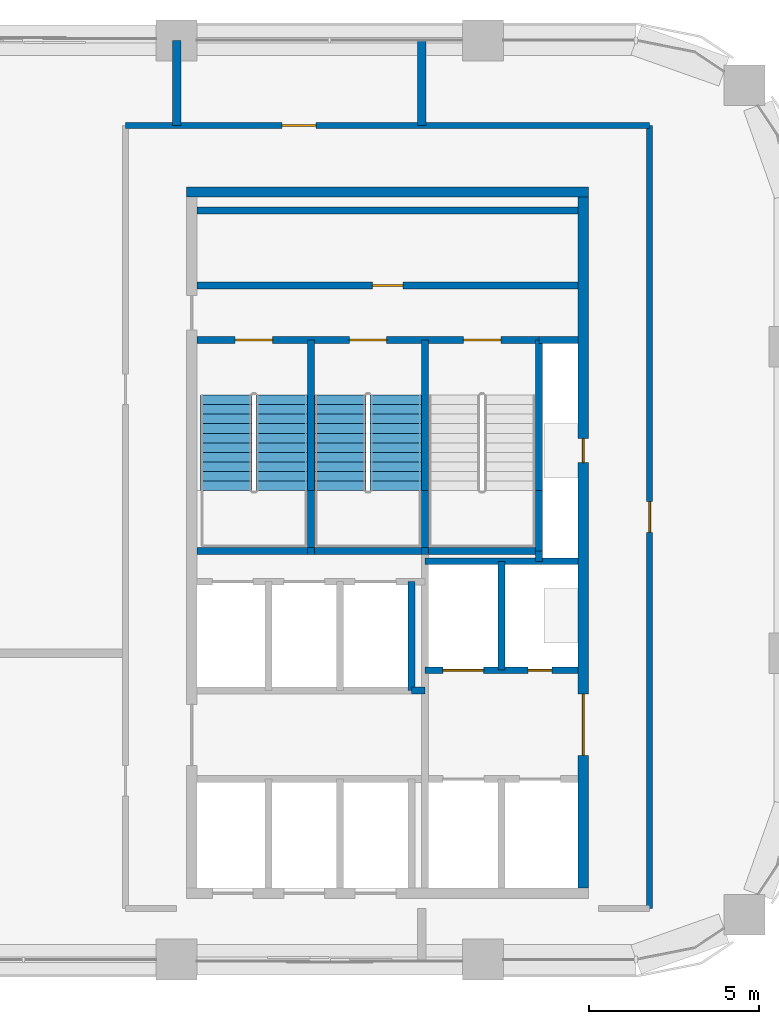
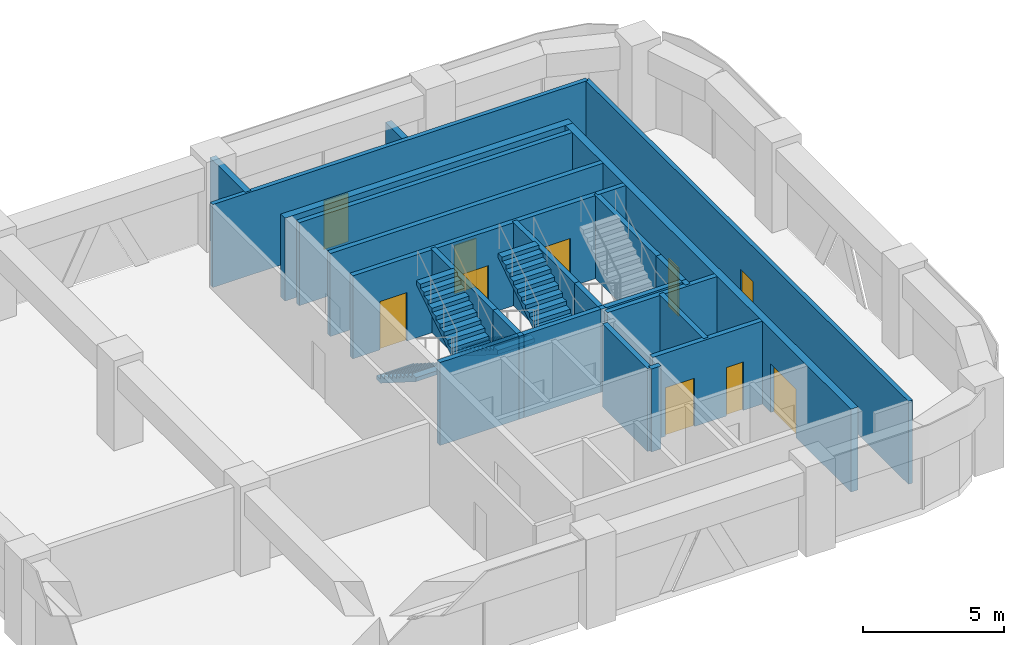
# One storey, part 7 of 9: 27 walls, 10 doors, 4 stair flights, 10 openings, 2 elements without a shape of their own.
"""IFC4 building model written with IfcOpenShell, lengths in metres."""

from ifc_helpers import new_model, si_unit, direction, frame, frame_2d, origin, place, context, subcontext, project, spatial, polyline, rectangle, outline, extrude, material, layer, layer_set, type_object, element, fill, aggregate, save


model = new_model("IFC4")

# Units and contexts
model_context = context("Model", 3, precision=1e-05, world=origin(), true_north=direction((0.0, 1.0)))
body_context = subcontext(model_context, "Body", "Model", "MODEL_VIEW")
ifc_project = project(units=[si_unit("LENGTHUNIT", "METRE"), si_unit("AREAUNIT", "SQUARE_METRE"), si_unit("VOLUMEUNIT", "CUBIC_METRE"), si_unit("PLANEANGLEUNIT", "RADIAN"), si_unit("MASSUNIT", "GRAM", prefix="KILO")], contexts=[model_context])

# Site, building, storey
site_placement = place(None, origin())
site = spatial("IfcSite", under=ifc_project, at=site_placement, CompositionType="ELEMENT")
building_placement = place(site_placement, origin())
building = spatial("IfcBuilding", under=site, at=building_placement, Name="Tessera Arch", CompositionType="ELEMENT")
storey_placement = place(building_placement, frame((0.0, 0.0, 305.10009765625)))
storey = spatial("IfcBuildingStorey", under=building, at=storey_placement, Name="L73", CompositionType="ELEMENT", Elevation=305.10009765625)

# Wall
ifc_material_1 = material(Name="Gypsum board on steel stud", Category="steel")
ifc_layer_1 = layer(ifc_material_1, 0.125)
ifc_layer_set_1 = layer_set([ifc_layer_1], Name="Core partition 125 EI 60")
wall_type_1 = type_object("IfcWallType", Name="Core partition 125 EI 60", PredefinedType="PARTITIONING", material=ifc_layer_set_1)
wall_1_placement = place(storey_placement, frame((42.89990234375, 34.89990234375, 0.0), z_axis=(0.0, 0.0, 1.0), x_axis=(1.0, 0.0, 0.0)))
element("IfcWall", 1, at=wall_1_placement, inside=storey, type_object=wall_type_1, Name="L73 C1 partition wall 18", PredefinedType="PARTITIONING", context=body_context, shape_type="SweptSolid", body=[
    extrude(rectangle(XDim=0.400146484375, YDim=0.199951171875, at=frame_2d((0.2001953125, 0.0))), origin(), (0.0, 0.0, 1.0), 3.599853515625),
])

# Wall, opening, door
wall_2_placement = place(storey_placement, frame((36.60009765625, 46.800048828125, 0.0), z_axis=(0.0, 0.0, 1.0), x_axis=(1.0, 0.0, 0.0)))
wall_2 = element("IfcWall", 2, at=wall_2_placement, inside=storey, type_object=wall_type_1, Name="L73 C1 partition wall 30", PredefinedType="PARTITIONING", context=body_context, shape_type="SweptSolid", body=[
    extrude(rectangle(XDim=11.199951171875, YDim=0.199951171875, at=frame_2d((5.60009765625, 0.0))), origin(), (0.0, 0.0, 1.0), 3.599853515625),
])
opening_1_placement = place(wall_2_placement, frame((5.14990234375, 0.0, 0.0)))
opening_1 = element("IfcOpeningElement", 3, at=opening_1_placement, cuts=wall_2, Name="Opening L73-C18", PredefinedType="OPENING", context=body_context, shape_type="SweptSolid", body=[
    extrude(rectangle(XDim=0.89990234375, YDim=2.10009765625, at=frame_2d((0.449951171875, 1.050048828125))), frame((0.0, 0.10986328125, 0.0), z_axis=(0.0, -1.0, 0.0), x_axis=(1.0, 0.0, 0.0)), (0.0, 0.0, 1.0), 0.219970703125),
])
ifc_material_2 = material(Name="Steel door leaf", Category="steel")
door_type_1 = type_object("IfcDoorType", Name="Store door FD30S 900 x 2100", OperationType="SINGLE_SWING_LEFT", PredefinedType="DOOR", material=ifc_material_2)
door_1_placement = place(opening_1_placement, origin())
door_1 = element("IfcDoor", 4, at=door_1_placement, inside=storey, type_object=door_type_1, Name="L73 C1 door 18 C18 type D09", OperationType="SINGLE_SWING_RIGHT", OverallHeight=2.10009765625, OverallWidth=0.89990234375, PredefinedType="DOOR", context=body_context, shape_type="SweptSolid", body=[
    extrude(rectangle(XDim=0.89990234375, YDim=2.10009765625, at=frame_2d((0.449951171875, 1.050048828125))), frame((0.0, 0.02490234375, 0.0), z_axis=(0.0, -1.0, 0.0), x_axis=(1.0, 0.0, 0.0)), (0.0, 0.0, 1.0), 0.050048828125),
])
fill(opening_1, door_1)

# Walls
wall_3_placement = place(storey_placement, frame((36.60009765625, 49.0, 0.0), z_axis=(0.0, 0.0, 1.0), x_axis=(1.0, 0.0, 0.0)))
element("IfcWall", 5, at=wall_3_placement, inside=storey, type_object=wall_type_1, Name="L73 C1 partition wall 31", PredefinedType="PARTITIONING", context=body_context, shape_type="SweptSolid", body=[
    extrude(rectangle(XDim=11.199951171875, YDim=0.199951171875, at=frame_2d((5.60009765625, 0.0))), origin(), (0.0, 0.0, 1.0), 3.599853515625),
])
ifc_material_3 = material(Name="Concrete C50/60", Category="concrete")
ifc_layer_2 = layer(ifc_material_3, 0.300048828125)
ifc_layer_set_2 = layer_set([ifc_layer_2], Name="Core shell wall 300 C50-60")
wall_type_2 = type_object("IfcWallType", Name="Core shell wall 300 C50-60", PredefinedType="SHEAR", material=ifc_layer_set_2)
wall_4_placement = place(storey_placement, frame((36.300048828125, 49.550048828125, 0.0), z_axis=(0.0, 0.0, 1.0), x_axis=(1.0, 0.0, 0.0)))
element("IfcWall", 6, at=wall_4_placement, inside=storey, type_object=wall_type_2, Name="L73 C1 core wall N", PredefinedType="SHEAR", context=body_context, shape_type="SweptSolid", body=[
    extrude(rectangle(XDim=11.800048828125, YDim=0.300048828125, at=frame_2d((5.89990234375, 0.0))), origin(), (0.0, 0.0, 1.0), 3.599853515625),
])

# Wall, openings, doors
wall_5_placement = place(storey_placement, frame((47.949951171875, 29.10009765625, 0.0), z_axis=(0.0, 0.0, 1.0), x_axis=(0.0, 1.0, 0.0)))
wall_5 = element("IfcWall", 7, at=wall_5_placement, inside=storey, type_object=wall_type_2, Name="L73 C1 core wall E", PredefinedType="SHEAR", context=body_context, shape_type="SweptSolid", body=[
    extrude(rectangle(XDim=20.2998046875, YDim=0.300048828125, at=frame_2d((10.14990234375, 0.0))), origin(), (0.0, 0.0, 1.0), 3.599853515625),
])
opening_2_placement = place(wall_5_placement, frame((12.5, 0.0, 0.0)))
opening_2 = element("IfcOpeningElement", 8, at=opening_2_placement, cuts=wall_5, Name="Opening L73-C14", PredefinedType="OPENING", context=body_context, shape_type="SweptSolid", body=[
    extrude(rectangle(XDim=0.699951171875, YDim=2.10009765625, at=frame_2d((0.35009765625, 1.050048828125))), frame((0.0, 0.159912109375, 0.0), z_axis=(0.0, -1.0, 0.0), x_axis=(1.0, 0.0, 0.0)), (0.0, 0.0, 1.0), 0.320068359375),
])
opening_3_placement = place(wall_5_placement, frame((3.89990234375, 0.0, 0.0)))
opening_3 = element("IfcOpeningElement", 9, at=opening_3_placement, cuts=wall_5, Name="Opening L73-C15", PredefinedType="OPENING", context=body_context, shape_type="SweptSolid", body=[
    extrude(rectangle(XDim=1.800048828125, YDim=2.10009765625, at=frame_2d((0.89990234375, 1.050048828125))), frame((0.0, 0.159912109375, 0.0), z_axis=(0.0, -1.0, 0.0), x_axis=(1.0, 0.0, 0.0)), (0.0, 0.0, 1.0), 0.320068359375),
])
ifc_material_4 = material(Name="Glazed steel door leaf", Category="steel")
door_type_2 = type_object("IfcDoorType", Name="Lobby double door FD60 1800 x 2100", OperationType="DOUBLE_DOOR_SINGLE_SWING", PredefinedType="DOOR", material=ifc_material_4)
door_2_placement = place(opening_3_placement, origin())
door_2 = element("IfcDoor", 10, at=door_2_placement, inside=storey, type_object=door_type_2, Name="L73 C1 door 15 C15 type D19", OperationType="DOUBLE_DOOR_SINGLE_SWING", OverallHeight=2.10009765625, OverallWidth=1.800048828125, PredefinedType="DOOR", context=body_context, shape_type="SweptSolid", body=[
    extrude(rectangle(XDim=1.800048828125, YDim=2.10009765625, at=frame_2d((0.89990234375, 1.050048828125))), frame((0.0, 0.02490234375, 0.0), z_axis=(0.0, -1.0, 0.0), x_axis=(1.0, 0.0, 0.0)), (0.0, 0.0, 1.0), 0.050048828125),
])
fill(opening_3, door_2)
ifc_material_5 = material(Name="Steel door leaf", Category="steel")
door_type_3 = type_object("IfcDoorType", Name="Service shaft door FD60 700 x 2100", OperationType="SINGLE_SWING_LEFT", PredefinedType="DOOR", material=ifc_material_5)
door_3_placement = place(opening_2_placement, origin())
door_3 = element("IfcDoor", 11, at=door_3_placement, inside=storey, type_object=door_type_3, Name="L73 C1 door 14 C14 type D07", OperationType="SINGLE_SWING_RIGHT", OverallHeight=2.10009765625, OverallWidth=0.699951171875, PredefinedType="DOOR", context=body_context, shape_type="SweptSolid", body=[
    extrude(rectangle(XDim=0.699951171875, YDim=2.10009765625, at=frame_2d((0.35009765625, 1.050048828125))), frame((0.0, 0.02490234375, 0.0), z_axis=(0.0, -1.0, 0.0), x_axis=(1.0, 0.0, 0.0)), (0.0, 0.0, 1.0), 0.050048828125),
])
fill(opening_2, door_3)

# Wall, opening, door
ifc_material_6 = material(Name="Gypsum board on deep steel stud with mineral wool", Category="steel")
ifc_layer_3 = layer(ifc_material_6, 0.175048828125)
ifc_layer_set_3 = layer_set([ifc_layer_3], Name="Corridor wall 175 EI 60")
wall_type_3 = type_object("IfcWallType", Name="Corridor wall 175 EI 60", PredefinedType="PARTITIONING", material=ifc_layer_set_3)
wall_6_placement = place(storey_placement, frame((34.5, 51.5, 0.0), z_axis=(0.0, 0.0, 1.0), x_axis=(1.0, 0.0, 0.0)))
wall_6 = element("IfcWall", 12, at=wall_6_placement, inside=storey, type_object=wall_type_3, Name="L73 partition 3", PredefinedType="PARTITIONING", context=body_context, shape_type="SweptSolid", body=[
    extrude(rectangle(XDim=15.39990234375, YDim=0.175048828125, at=frame_2d((7.699951171875, 0.0))), origin(), (0.0, 0.0, 1.0), 3.599853515625),
])
opening_4_placement = place(wall_6_placement, frame((4.60009765625, 0.0, 0.0)))
opening_4 = element("IfcOpeningElement", 13, at=opening_4_placement, cuts=wall_6, Name="Opening L73-D004", PredefinedType="OPENING", context=body_context, shape_type="SweptSolid", body=[
    extrude(rectangle(XDim=1.0, YDim=2.10009765625, at=frame_2d((0.5, 1.050048828125))), frame((0.0, 0.097412109375, 0.0), z_axis=(0.0, -1.0, 0.0), x_axis=(1.0, 0.0, 0.0)), (0.0, 0.0, 1.0), 0.195068359375),
])
ifc_material_7 = material(Name="Fire-rated door leaf")
door_type_4 = type_object("IfcDoorType", Name="Entrance door FD30S 1000 x 2100", OperationType="SINGLE_SWING_LEFT", PredefinedType="DOOR", material=ifc_material_7)
door_4_placement = place(opening_4_placement, origin())
door_4 = element("IfcDoor", 14, at=door_4_placement, inside=storey, type_object=door_type_4, Name="L73 door D004 type D03", OperationType="SINGLE_SWING_RIGHT", OverallHeight=2.10009765625, OverallWidth=1.0, PredefinedType="DOOR", context=body_context, shape_type="SweptSolid", body=[
    extrude(rectangle(XDim=1.0, YDim=2.10009765625, at=frame_2d((0.5, 1.050048828125))), frame((0.0, 0.02490234375, 0.0), z_axis=(0.0, -1.0, 0.0), x_axis=(1.0, 0.0, 0.0)), (0.0, 0.0, 1.0), 0.050048828125),
])
fill(opening_4, door_4)

wall_7_placement = place(storey_placement, frame((49.89990234375, 28.5, 0.0), z_axis=(0.0, 0.0, 1.0), x_axis=(0.0, 1.0, 0.0)))
wall_7 = element("IfcWall", 15, at=wall_7_placement, inside=storey, type_object=wall_type_3, Name="L73 partition 5", PredefinedType="PARTITIONING", context=body_context, shape_type="SweptSolid", body=[
    extrude(rectangle(XDim=23.0, YDim=0.175048828125, at=frame_2d((11.5, 0.0))), origin(), (0.0, 0.0, 1.0), 3.599853515625),
])
opening_5_placement = place(wall_7_placement, frame((11.050048828125, 0.0, 0.0)))
opening_5 = element("IfcOpeningElement", 16, at=opening_5_placement, cuts=wall_7, Name="Opening L73-D002", PredefinedType="OPENING", context=body_context, shape_type="SweptSolid", body=[
    extrude(rectangle(XDim=0.89990234375, YDim=2.10009765625, at=frame_2d((0.449951171875, 1.050048828125))), frame((0.0, 0.097412109375, 0.0), z_axis=(0.0, -1.0, 0.0), x_axis=(1.0, 0.0, 0.0)), (0.0, 0.0, 1.0), 0.195068359375),
])
ifc_material_8 = material(Name="Timber door leaf", Category="wood")
door_type_5 = type_object("IfcDoorType", Name="Room door 900 x 2100", OperationType="SINGLE_SWING_LEFT", PredefinedType="DOOR", material=ifc_material_8)
door_5_placement = place(opening_5_placement, origin())
door_5 = element("IfcDoor", 17, at=door_5_placement, inside=storey, type_object=door_type_5, Name="L73 door D002 type D01", OperationType="SINGLE_SWING_LEFT", OverallHeight=2.10009765625, OverallWidth=0.89990234375, PredefinedType="DOOR", context=body_context, shape_type="SweptSolid", body=[
    extrude(rectangle(XDim=0.89990234375, YDim=2.10009765625, at=frame_2d((0.449951171875, 1.050048828125))), frame((0.0, 0.02490234375, 0.0), z_axis=(0.0, -1.0, 0.0), x_axis=(1.0, 0.0, 0.0)), (0.0, 0.0, 1.0), 0.050048828125),
])
fill(opening_5, door_5)

# Walls
ifc_material_9 = material(Name="Double gypsum board on twin steel stud with acoustic mineral wool", Category="steel")
ifc_layer_4 = layer(ifc_material_9, 0.25)
ifc_layer_set_4 = layer_set([ifc_layer_4], Name="Party wall 250 EI 60")
wall_type_4 = type_object("IfcWallType", Name="Party wall 250 EI 60", PredefinedType="PARTITIONING", material=ifc_layer_set_4)
wall_8_placement = place(storey_placement, frame((36.0, 51.5, 0.0), z_axis=(0.0, 0.0, 1.0), x_axis=(0.0, 1.0, 0.0)))
element("IfcWall", 18, at=wall_8_placement, inside=storey, type_object=wall_type_4, Name="L73 partition 7", PredefinedType="PARTITIONING", context=body_context, shape_type="SweptSolid", body=[
    extrude(rectangle(XDim=2.5, YDim=0.25, at=frame_2d((1.25, 0.0))), origin(), (0.0, 0.0, 1.0), 3.599853515625),
])
wall_9_placement = place(storey_placement, frame((43.199951171875, 51.5, 0.0), z_axis=(0.0, 0.0, 1.0), x_axis=(0.0, 1.0, 0.0)))
element("IfcWall", 19, at=wall_9_placement, inside=storey, type_object=wall_type_4, Name="L73 partition 9", PredefinedType="PARTITIONING", context=body_context, shape_type="SweptSolid", body=[
    extrude(rectangle(XDim=2.5, YDim=0.25, at=frame_2d((1.25, 0.0))), origin(), (0.0, 0.0, 1.0), 2.599853515625),
])
ifc_material_10 = material(Name="Concrete C40/50", Category="concrete")
ifc_layer_5 = layer(ifc_material_10, 0.199951171875)
ifc_layer_set_5 = layer_set([ifc_layer_5], Name="Shaft wall 200 EI 120")
wall_type_5 = type_object("IfcWallType", Name="Shaft wall 200 EI 120", PredefinedType="SOLIDWALL", material=ifc_layer_set_5)
wall_10_placement = place(storey_placement, frame((42.89990234375, 34.89990234375, 0.0), z_axis=(0.0, 0.0, 1.0), x_axis=(0.0, 1.0, 0.0)))
element("IfcWall", 20, at=wall_10_placement, inside=storey, type_object=wall_type_5, Name="L73 C1 shaft wall 8", PredefinedType="SOLIDWALL", context=body_context, shape_type="SweptSolid", body=[
    extrude(rectangle(XDim=3.2001953125, YDim=0.199951171875, at=frame_2d((1.60009765625, 0.0))), origin(), (0.0, 0.0, 1.0), 3.599853515625),
])
wall_11_placement = place(storey_placement, frame((45.550048828125, 35.5, 0.0), z_axis=(0.0, 0.0, 1.0), x_axis=(0.0, 1.0, 0.0)))
element("IfcWall", 21, at=wall_11_placement, inside=storey, type_object=wall_type_5, Name="L73 C1 shaft wall 13", PredefinedType="SOLIDWALL", context=body_context, shape_type="SweptSolid", body=[
    extrude(rectangle(XDim=3.199951171875, YDim=0.199951171875, at=frame_2d((1.60009765625, 0.0))), origin(), (0.0, 0.0, 1.0), 3.599853515625),
])
wall_12_placement = place(storey_placement, frame((46.64990234375, 38.699951171875, 0.0), z_axis=(0.0, 0.0, 1.0), x_axis=(0.0, 1.0, 0.0)))
element("IfcWall", 22, at=wall_12_placement, inside=storey, type_object=wall_type_5, Name="L73 C1 shaft wall 14", PredefinedType="SOLIDWALL", context=body_context, shape_type="SweptSolid", body=[
    extrude(rectangle(XDim=0.300048828125, YDim=0.199951171875, at=frame_2d((0.14990234375, 0.0))), origin(), (0.0, 0.0, 1.0), 3.599853515625),
])

# Wall, openings, doors
wall_13_placement = place(storey_placement, frame((43.300048828125, 35.5, 0.0), z_axis=(0.0, 0.0, 1.0), x_axis=(1.0, 0.0, 0.0)))
wall_13 = element("IfcWall", 23, at=wall_13_placement, inside=storey, type_object=wall_type_5, Name="L73 C1 shaft wall 20", PredefinedType="SOLIDWALL", context=body_context, shape_type="SweptSolid", body=[
    extrude(rectangle(XDim=4.5, YDim=0.199951171875, at=frame_2d((2.25, 0.0))), origin(), (0.0, 0.0, 1.0), 3.599853515625),
])
opening_6_placement = place(wall_13_placement, frame((0.52490234375, 0.0, 0.0)))
opening_6 = element("IfcOpeningElement", 24, at=opening_6_placement, cuts=wall_13, Name="Opening L73-C09", PredefinedType="OPENING", context=body_context, shape_type="SweptSolid", body=[
    extrude(rectangle(XDim=1.199951171875, YDim=2.10009765625, at=frame_2d((0.60009765625, 1.050048828125))), frame((0.0, 0.10986328125, 0.0), z_axis=(0.0, -1.0, 0.0), x_axis=(1.0, 0.0, 0.0)), (0.0, 0.0, 1.0), 0.219970703125),
])
opening_7_placement = place(wall_13_placement, frame((3.02490234375, 0.0, 0.0)))
opening_7 = element("IfcOpeningElement", 25, at=opening_7_placement, cuts=wall_13, Name="Opening L73-C16", PredefinedType="OPENING", context=body_context, shape_type="SweptSolid", body=[
    extrude(rectangle(XDim=0.699951171875, YDim=2.10009765625, at=frame_2d((0.35009765625, 1.050048828125))), frame((0.0, 0.10986328125, 0.0), z_axis=(0.0, -1.0, 0.0), x_axis=(1.0, 0.0, 0.0)), (0.0, 0.0, 1.0), 0.219970703125),
])
door_6_placement = place(opening_7_placement, origin())
door_6 = element("IfcDoor", 26, at=door_6_placement, inside=storey, type_object=door_type_3, Name="L73 C1 door 16 C16 type D07", OperationType="SINGLE_SWING_RIGHT", OverallHeight=2.10009765625, OverallWidth=0.699951171875, PredefinedType="DOOR", context=body_context, shape_type="SweptSolid", body=[
    extrude(rectangle(XDim=0.699951171875, YDim=2.10009765625, at=frame_2d((0.35009765625, 1.050048828125))), frame((0.0, 0.02490234375, 0.0), z_axis=(0.0, -1.0, 0.0), x_axis=(1.0, 0.0, 0.0)), (0.0, 0.0, 1.0), 0.050048828125),
])
fill(opening_7, door_6)
ifc_material_11 = material(Name="Stainless steel AISI 304", Category="steel")
door_type_6 = type_object("IfcDoorType", Name="Sliding landing door 1200 x 2100", OperationType="SLIDING_TO_LEFT", PredefinedType="DOOR", material=ifc_material_11)
door_7_placement = place(opening_6_placement, origin())
door_7 = element("IfcDoor", 27, at=door_7_placement, inside=storey, type_object=door_type_6, Name="L73 SV2 lift landing door C09 type LD", OperationType="SLIDING_TO_LEFT", OverallHeight=2.10009765625, OverallWidth=1.199951171875, PredefinedType="DOOR", context=body_context, shape_type="SweptSolid", body=[
    extrude(rectangle(XDim=1.199951171875, YDim=2.10009765625, at=frame_2d((0.60009765625, 1.050048828125))), frame((0.0, 0.02490234375, 0.0), z_axis=(0.0, -1.0, 0.0), x_axis=(1.0, 0.0, 0.0)), (0.0, 0.0, 1.0), 0.050048828125),
])
fill(opening_6, door_7)

# Walls
wall_14_placement = place(storey_placement, frame((43.300048828125, 38.699951171875, 0.0), z_axis=(0.0, 0.0, 1.0), x_axis=(1.0, 0.0, 0.0)))
element("IfcWall", 28, at=wall_14_placement, inside=storey, type_object=wall_type_5, Name="L73 C1 shaft wall 22", PredefinedType="SOLIDWALL", context=body_context, shape_type="SweptSolid", body=[
    extrude(rectangle(XDim=4.5, YDim=0.199951171875, at=frame_2d((2.25, 0.0))), origin(), (0.0, 0.0, 1.0), 3.599853515625),
])
wall_15_placement = place(storey_placement, frame((46.64990234375, 45.199951171875, 0.0), z_axis=(0.0, 0.0, 1.0), x_axis=(1.0, 0.0, 0.0)))
element("IfcWall", 29, at=wall_15_placement, inside=storey, type_object=wall_type_5, Name="L73 C1 shaft wall 28", PredefinedType="SOLIDWALL", context=body_context, shape_type="SweptSolid", body=[
    extrude(rectangle(XDim=1.150146484375, YDim=0.199951171875, at=frame_2d((0.5751953125, 0.0))), origin(), (0.0, 0.0, 1.0), 3.599853515625),
])
ifc_material_12 = material(Name="Concrete C40/50", Category="concrete")
ifc_layer_6 = layer(ifc_material_12, 0.199951171875)
ifc_layer_set_6 = layer_set([ifc_layer_6], Name="Stair well wall 200 REI 180")
wall_type_6 = type_object("IfcWallType", Name="Stair well wall 200 REI 180", PredefinedType="SOLIDWALL", material=ifc_layer_set_6)
wall_16_placement = place(storey_placement, frame((39.949951171875, 39.0, 0.0), z_axis=(0.0, 0.0, 1.0), x_axis=(0.0, 1.0, 0.0)))
element("IfcWall", 30, at=wall_16_placement, inside=storey, type_object=wall_type_6, Name="L73 C1 shaft wall 3", PredefinedType="SOLIDWALL", context=body_context, shape_type="SweptSolid", body=[
    extrude(rectangle(XDim=1.780029296875, YDim=0.199951171875, at=frame_2d((0.89013671875, 0.0))), origin(), (0.0, 0.0, 1.0), 3.599853515625),
])
wall_17_placement = place(storey_placement, frame((39.949951171875, 40.780029296875, 0.0), z_axis=(0.0, 0.0, 1.0), x_axis=(0.0, 1.0, 0.0)))
element("IfcWall", 31, at=wall_17_placement, inside=storey, type_object=wall_type_6, Name="L73 C1 shaft wall 4", PredefinedType="SOLIDWALL", context=body_context, shape_type="SweptSolid", body=[
    extrude(rectangle(XDim=4.419921875, YDim=0.199951171875, at=frame_2d((2.2099609375, 0.0))), origin(), (0.0, 0.0, 1.0), 3.599853515625),
])
wall_18_placement = place(storey_placement, frame((43.300048828125, 39.0, 0.0), z_axis=(0.0, 0.0, 1.0), x_axis=(0.0, 1.0, 0.0)))
element("IfcWall", 32, at=wall_18_placement, inside=storey, type_object=wall_type_6, Name="L73 C1 shaft wall 10", PredefinedType="SOLIDWALL", context=body_context, shape_type="SweptSolid", body=[
    extrude(rectangle(XDim=1.780029296875, YDim=0.199951171875, at=frame_2d((0.89013671875, 0.0))), origin(), (0.0, 0.0, 1.0), 3.599853515625),
])
wall_19_placement = place(storey_placement, frame((43.300048828125, 40.780029296875, 0.0), z_axis=(0.0, 0.0, 1.0), x_axis=(0.0, 1.0, 0.0)))
element("IfcWall", 33, at=wall_19_placement, inside=storey, type_object=wall_type_6, Name="L73 C1 shaft wall 11", PredefinedType="SOLIDWALL", context=body_context, shape_type="SweptSolid", body=[
    extrude(rectangle(XDim=4.419921875, YDim=0.199951171875, at=frame_2d((2.2099609375, 0.0))), origin(), (0.0, 0.0, 1.0), 3.599853515625),
])
wall_20_placement = place(storey_placement, frame((46.64990234375, 39.0, 0.0), z_axis=(0.0, 0.0, 1.0), x_axis=(0.0, 1.0, 0.0)))
element("IfcWall", 34, at=wall_20_placement, inside=storey, type_object=wall_type_6, Name="L73 C1 shaft wall 15", PredefinedType="SOLIDWALL", context=body_context, shape_type="SweptSolid", body=[
    extrude(rectangle(XDim=1.780029296875, YDim=0.199951171875, at=frame_2d((0.89013671875, 0.0))), origin(), (0.0, 0.0, 1.0), 3.599853515625),
])
wall_21_placement = place(storey_placement, frame((46.64990234375, 40.780029296875, 0.0), z_axis=(0.0, 0.0, 1.0), x_axis=(0.0, 1.0, 0.0)))
element("IfcWall", 35, at=wall_21_placement, inside=storey, type_object=wall_type_6, Name="L73 C1 shaft wall 16", PredefinedType="SOLIDWALL", context=body_context, shape_type="SweptSolid", body=[
    extrude(rectangle(XDim=4.419921875, YDim=0.199951171875, at=frame_2d((2.2099609375, 0.0))), origin(), (0.0, 0.0, 1.0), 3.599853515625),
])
wall_22_placement = place(storey_placement, frame((36.60009765625, 39.0, 0.0), z_axis=(0.0, 0.0, 1.0), x_axis=(1.0, 0.0, 0.0)))
element("IfcWall", 36, at=wall_22_placement, inside=storey, type_object=wall_type_6, Name="L73 C1 shaft wall 23", PredefinedType="SOLIDWALL", context=body_context, shape_type="SweptSolid", body=[
    extrude(rectangle(XDim=3.25, YDim=0.199951171875, at=frame_2d((1.625, 0.0))), origin(), (0.0, 0.0, 1.0), 3.599853515625),
])
wall_23_placement = place(storey_placement, frame((39.85009765625, 39.0, 0.0), z_axis=(0.0, 0.0, 1.0), x_axis=(1.0, 0.0, 0.0)))
element("IfcWall", 37, at=wall_23_placement, inside=storey, type_object=wall_type_6, Name="L73 C1 shaft wall 24", PredefinedType="SOLIDWALL", context=body_context, shape_type="SweptSolid", body=[
    extrude(rectangle(XDim=0.199951171875, YDim=0.199951171875, at=frame_2d((0.10009765625, 0.0))), origin(), (0.0, 0.0, 1.0), 3.599853515625),
])
wall_24_placement = place(storey_placement, frame((40.050048828125, 39.0, 0.0), z_axis=(0.0, 0.0, 1.0), x_axis=(1.0, 0.0, 0.0)))
element("IfcWall", 38, at=wall_24_placement, inside=storey, type_object=wall_type_6, Name="L73 C1 shaft wall 25", PredefinedType="SOLIDWALL", context=body_context, shape_type="SweptSolid", body=[
    extrude(rectangle(XDim=3.14990234375, YDim=0.199951171875, at=frame_2d((1.574951171875, 0.0))), origin(), (0.0, 0.0, 1.0), 3.599853515625),
])
wall_25_placement = place(storey_placement, frame((43.199951171875, 39.0, 0.0), z_axis=(0.0, 0.0, 1.0), x_axis=(1.0, 0.0, 0.0)))
element("IfcWall", 39, at=wall_25_placement, inside=storey, type_object=wall_type_6, Name="L73 C1 shaft wall 26", PredefinedType="SOLIDWALL", context=body_context, shape_type="SweptSolid", body=[
    extrude(rectangle(XDim=0.199951171875, YDim=0.199951171875, at=frame_2d((0.10009765625, 0.0))), origin(), (0.0, 0.0, 1.0), 3.599853515625),
])
wall_26_placement = place(storey_placement, frame((43.39990234375, 39.0, 0.0), z_axis=(0.0, 0.0, 1.0), x_axis=(1.0, 0.0, 0.0)))
element("IfcWall", 40, at=wall_26_placement, inside=storey, type_object=wall_type_6, Name="L73 C1 shaft wall 27", PredefinedType="SOLIDWALL", context=body_context, shape_type="SweptSolid", body=[
    extrude(rectangle(XDim=3.25, YDim=0.199951171875, at=frame_2d((1.625, 0.0))), origin(), (0.0, 0.0, 1.0), 3.599853515625),
])

# Wall, openings, doors
wall_27_placement = place(storey_placement, frame((36.60009765625, 45.199951171875, 0.0), z_axis=(0.0, 0.0, 1.0), x_axis=(1.0, 0.0, 0.0)))
wall_27 = element("IfcWall", 41, at=wall_27_placement, inside=storey, type_object=wall_type_6, Name="L73 C1 shaft wall 29", PredefinedType="SOLIDWALL", context=body_context, shape_type="SweptSolid", body=[
    extrude(rectangle(XDim=10.0498046875, YDim=0.199951171875, at=frame_2d((5.02490234375, 0.0))), origin(), (0.0, 0.0, 1.0), 3.599853515625),
])
opening_8_placement = place(wall_27_placement, frame((1.125, 0.0, 0.0)))
opening_8 = element("IfcOpeningElement", 42, at=opening_8_placement, cuts=wall_27, Name="Opening L73-C11", PredefinedType="OPENING", context=body_context, shape_type="SweptSolid", body=[
    extrude(rectangle(XDim=1.10009765625, YDim=2.10009765625, at=frame_2d((0.550048828125, 1.050048828125))), frame((0.0, 0.10986328125, 0.0), z_axis=(0.0, -1.0, 0.0), x_axis=(1.0, 0.0, 0.0)), (0.0, 0.0, 1.0), 0.219970703125),
])
opening_9_placement = place(wall_27_placement, frame((4.47509765625, 0.0, 0.0)))
opening_9 = element("IfcOpeningElement", 43, at=opening_9_placement, cuts=wall_27, Name="Opening L73-C12", PredefinedType="OPENING", context=body_context, shape_type="SweptSolid", body=[
    extrude(rectangle(XDim=1.10009765625, YDim=2.10009765625, at=frame_2d((0.550048828125, 1.050048828125))), frame((0.0, 0.10986328125, 0.0), z_axis=(0.0, -1.0, 0.0), x_axis=(1.0, 0.0, 0.0)), (0.0, 0.0, 1.0), 0.219970703125),
])
opening_10_placement = place(wall_27_placement, frame((7.824951171875, 0.0, 0.0)))
opening_10 = element("IfcOpeningElement", 44, at=opening_10_placement, cuts=wall_27, Name="Opening L73-C13", PredefinedType="OPENING", context=body_context, shape_type="SweptSolid", body=[
    extrude(rectangle(XDim=1.10009765625, YDim=2.10009765625, at=frame_2d((0.550048828125, 1.050048828125))), frame((0.0, 0.10986328125, 0.0), z_axis=(0.0, -1.0, 0.0), x_axis=(1.0, 0.0, 0.0)), (0.0, 0.0, 1.0), 0.219970703125),
])
ifc_material_13 = material(Name="Steel door leaf", Category="steel")
door_type_7 = type_object("IfcDoorType", Name="Stair door FD60 1100 x 2100", OperationType="SINGLE_SWING_LEFT", PredefinedType="DOOR", material=ifc_material_13)
door_8_placement = place(opening_8_placement, origin())
door_8 = element("IfcDoor", 45, at=door_8_placement, inside=storey, type_object=door_type_7, Name="L73 C1 door 11 C11 type D05", OperationType="SINGLE_SWING_LEFT", OverallHeight=2.10009765625, OverallWidth=1.10009765625, PredefinedType="DOOR", context=body_context, shape_type="SweptSolid", body=[
    extrude(rectangle(XDim=1.10009765625, YDim=2.10009765625, at=frame_2d((0.550048828125, 1.050048828125))), frame((0.0, 0.02490234375, 0.0), z_axis=(0.0, -1.0, 0.0), x_axis=(1.0, 0.0, 0.0)), (0.0, 0.0, 1.0), 0.050048828125),
])
fill(opening_8, door_8)
door_9_placement = place(opening_9_placement, origin())
door_9 = element("IfcDoor", 46, at=door_9_placement, inside=storey, type_object=door_type_7, Name="L73 C1 door 12 C12 type D05", OperationType="SINGLE_SWING_RIGHT", OverallHeight=2.10009765625, OverallWidth=1.10009765625, PredefinedType="DOOR", context=body_context, shape_type="SweptSolid", body=[
    extrude(rectangle(XDim=1.10009765625, YDim=2.10009765625, at=frame_2d((0.550048828125, 1.050048828125))), frame((0.0, 0.02490234375, 0.0), z_axis=(0.0, -1.0, 0.0), x_axis=(1.0, 0.0, 0.0)), (0.0, 0.0, 1.0), 0.050048828125),
])
fill(opening_9, door_9)
door_10_placement = place(opening_10_placement, origin())
door_10 = element("IfcDoor", 47, at=door_10_placement, inside=storey, type_object=door_type_7, Name="L73 C1 door 13 C13 type D05", OperationType="SINGLE_SWING_RIGHT", OverallHeight=2.10009765625, OverallWidth=1.10009765625, PredefinedType="DOOR", context=body_context, shape_type="SweptSolid", body=[
    extrude(rectangle(XDim=1.10009765625, YDim=2.10009765625, at=frame_2d((0.550048828125, 1.050048828125))), frame((0.0, 0.02490234375, 0.0), z_axis=(0.0, -1.0, 0.0), x_axis=(1.0, 0.0, 0.0)), (0.0, 0.0, 1.0), 0.050048828125),
])
fill(opening_10, door_10)

# Stair, stair flights
ifc_material_14 = material(Name="Concrete C40/50", Category="concrete")
stair_type = type_object("IfcStairType", Name="Dogleg stair 1520", PredefinedType="HALF_TURN_STAIR", material=ifc_material_14)
stair_1_placement = place(storey_placement, origin())
stair_1 = element("IfcStair", 48, at=stair_1_placement, inside=storey, type_object=stair_type, Name="L73 S1a", PredefinedType="HALF_TURN_STAIR")
ifc_material_15 = material(Name="Concrete C40/50", Category="concrete")
stair_flight_type = type_object("IfcStairFlightType", Name="Stair flight 1520", PredefinedType="STRAIGHT", material=ifc_material_15)
stair_flight_1_placement = place(storey_placement, frame((37.4599609375, 43.580078125, 0.0), z_axis=(0.0, 0.0, 1.0), x_axis=(0.0, -1.0, 0.0)))
stair_flight_1 = element("IfcStairFlight", 49, at=stair_flight_1_placement, type_object=stair_flight_type, Name="S1a flight 1", NumberOfRisers=11, NumberOfTreads=10, PredefinedType="STRAIGHT", RiserHeight=0.177272727, TreadLength=0.28, context=body_context, shape_type="SweptSolid", body=[
    extrude(outline(polyline([(0.0, 0.0), (0.0, 0.17724609375), (0.280029296875, 0.17724609375), (0.280029296875, 0.3544921875), (0.56005859375, 0.3544921875), (0.56005859375, 0.53173828125), (0.840087890625, 0.53173828125), (0.840087890625, 0.708984375), (1.1201171875, 0.708984375), (1.1201171875, 0.886474609375), (1.39990234375, 0.886474609375), (1.39990234375, 1.063720703125), (1.679931640625, 1.063720703125), (1.679931640625, 1.240966796875), (1.9599609375, 1.240966796875), (1.9599609375, 1.418212890625), (2.239990234375, 1.418212890625), (2.239990234375, 1.595458984375), (2.52001953125, 1.595458984375), (2.52001953125, 1.772705078125), (2.800048828125, 1.772705078125), (2.800048828125, 1.949951171875), (2.800048828125, 1.59521484375), (0.2802734375, 0.0), (0.0, 0.0)])), frame((0.0, 0.760009765625, 0.0), z_axis=(0.0, -1.0, 0.0), x_axis=(1.0, 0.0, 0.0)), (0.0, 0.0, 1.0), 1.52001953125),
])
stair_flight_2_placement = place(storey_placement, frame((39.090087890625, 40.780029296875, 1.949951171875), z_axis=(0.0, 0.0, 1.0), x_axis=(0.0, 1.0, 0.0)))
stair_flight_2 = element("IfcStairFlight", 50, at=stair_flight_2_placement, type_object=stair_flight_type, Name="S1a flight 2", NumberOfRisers=11, NumberOfTreads=10, PredefinedType="STRAIGHT", RiserHeight=0.177272727, TreadLength=0.28, context=body_context, shape_type="SweptSolid", body=[
    extrude(outline(polyline([(0.0, 0.0), (0.0, 0.17724609375), (0.280029296875, 0.17724609375), (0.280029296875, 0.3544921875), (0.56005859375, 0.3544921875), (0.56005859375, 0.53173828125), (0.840087890625, 0.53173828125), (0.840087890625, 0.708984375), (1.1201171875, 0.708984375), (1.1201171875, 0.886474609375), (1.39990234375, 0.886474609375), (1.39990234375, 1.063720703125), (1.679931640625, 1.063720703125), (1.679931640625, 1.240966796875), (1.9599609375, 1.240966796875), (1.9599609375, 1.418212890625), (2.239990234375, 1.418212890625), (2.239990234375, 1.595458984375), (2.52001953125, 1.595458984375), (2.52001953125, 1.772705078125), (2.800048828125, 1.772705078125), (2.800048828125, 1.949951171875), (2.800048828125, 1.59521484375), (0.2802734375, 0.0), (0.0, 0.0)])), frame((0.0, 0.760009765625, 0.0), z_axis=(0.0, -1.0, 0.0), x_axis=(1.0, 0.0, 0.0)), (0.0, 0.0, 1.0), 1.52001953125),
])
aggregate(stair_1, [stair_flight_1, stair_flight_2])

stair_2_placement = place(storey_placement, origin())
stair_2 = element("IfcStair", 51, at=stair_2_placement, inside=storey, type_object=stair_type, Name="L73 S1b", PredefinedType="HALF_TURN_STAIR")
stair_flight_3_placement = place(storey_placement, frame((40.81005859375, 43.580078125, 0.0), z_axis=(0.0, 0.0, 1.0), x_axis=(0.0, -1.0, 0.0)))
stair_flight_3 = element("IfcStairFlight", 52, at=stair_flight_3_placement, type_object=stair_flight_type, Name="S1b flight 1", NumberOfRisers=11, NumberOfTreads=10, PredefinedType="STRAIGHT", RiserHeight=0.177272727, TreadLength=0.28, context=body_context, shape_type="SweptSolid", body=[
    extrude(outline(polyline([(0.0, 0.0), (0.0, 0.17724609375), (0.280029296875, 0.17724609375), (0.280029296875, 0.3544921875), (0.56005859375, 0.3544921875), (0.56005859375, 0.53173828125), (0.840087890625, 0.53173828125), (0.840087890625, 0.708984375), (1.1201171875, 0.708984375), (1.1201171875, 0.886474609375), (1.39990234375, 0.886474609375), (1.39990234375, 1.063720703125), (1.679931640625, 1.063720703125), (1.679931640625, 1.240966796875), (1.9599609375, 1.240966796875), (1.9599609375, 1.418212890625), (2.239990234375, 1.418212890625), (2.239990234375, 1.595458984375), (2.52001953125, 1.595458984375), (2.52001953125, 1.772705078125), (2.800048828125, 1.772705078125), (2.800048828125, 1.949951171875), (2.800048828125, 1.59521484375), (0.2802734375, 0.0), (0.0, 0.0)])), frame((0.0, 0.760009765625, 0.0), z_axis=(0.0, -1.0, 0.0), x_axis=(1.0, 0.0, 0.0)), (0.0, 0.0, 1.0), 1.52001953125),
])
stair_flight_4_placement = place(storey_placement, frame((42.43994140625, 40.780029296875, 1.949951171875), z_axis=(0.0, 0.0, 1.0), x_axis=(0.0, 1.0, 0.0)))
stair_flight_4 = element("IfcStairFlight", 53, at=stair_flight_4_placement, type_object=stair_flight_type, Name="S1b flight 2", NumberOfRisers=11, NumberOfTreads=10, PredefinedType="STRAIGHT", RiserHeight=0.177272727, TreadLength=0.28, context=body_context, shape_type="SweptSolid", body=[
    extrude(outline(polyline([(0.0, 0.0), (0.0, 0.17724609375), (0.280029296875, 0.17724609375), (0.280029296875, 0.3544921875), (0.56005859375, 0.3544921875), (0.56005859375, 0.53173828125), (0.840087890625, 0.53173828125), (0.840087890625, 0.708984375), (1.1201171875, 0.708984375), (1.1201171875, 0.886474609375), (1.39990234375, 0.886474609375), (1.39990234375, 1.063720703125), (1.679931640625, 1.063720703125), (1.679931640625, 1.240966796875), (1.9599609375, 1.240966796875), (1.9599609375, 1.418212890625), (2.239990234375, 1.418212890625), (2.239990234375, 1.595458984375), (2.52001953125, 1.595458984375), (2.52001953125, 1.772705078125), (2.800048828125, 1.772705078125), (2.800048828125, 1.949951171875), (2.800048828125, 1.59521484375), (0.2802734375, 0.0), (0.0, 0.0)])), frame((0.0, 0.760009765625, 0.0), z_axis=(0.0, -1.0, 0.0), x_axis=(1.0, 0.0, 0.0)), (0.0, 0.0, 1.0), 1.52001953125),
])
aggregate(stair_2, [stair_flight_3, stair_flight_4])

save(model, "model.ifc")
